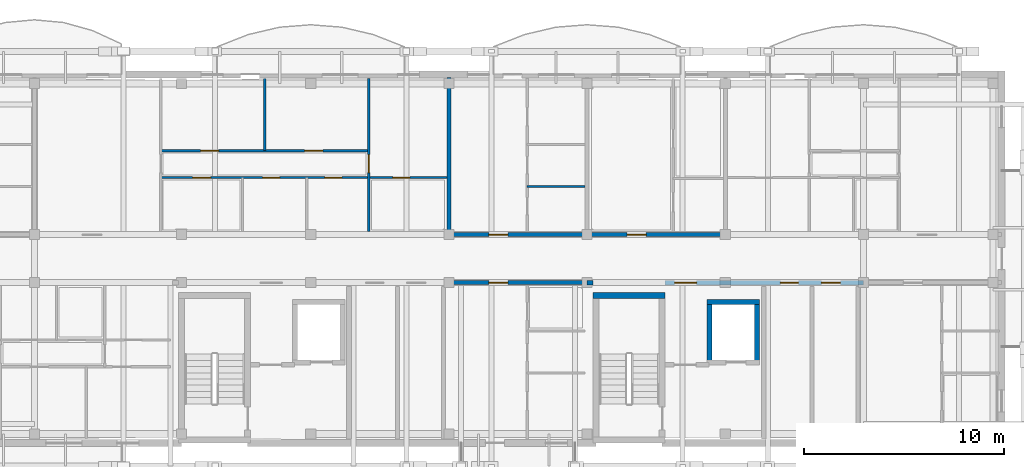
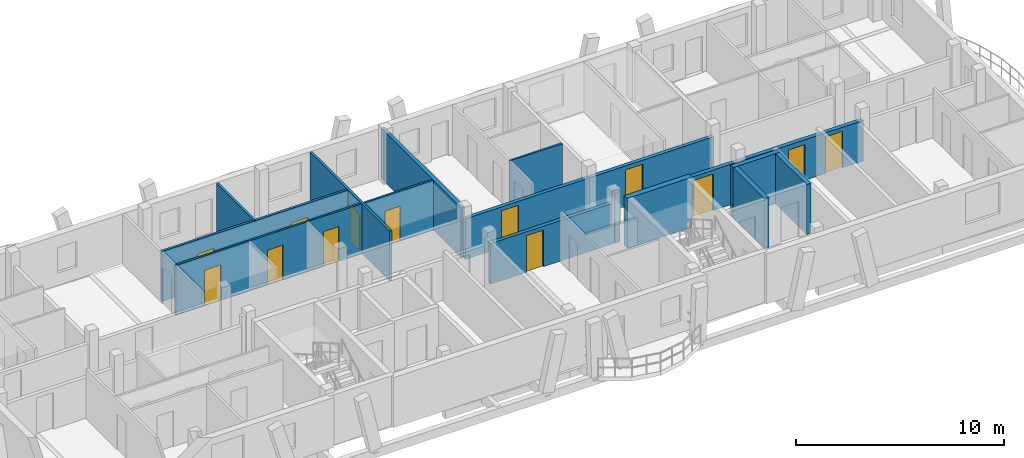
# One storey, part 35 of 50: 15 walls, 13 doors, 13 openings.
"""IFC4 building model written with IfcOpenShell, lengths in metres."""

from ifc_helpers import new_model, si_unit, direction, frame, frame_2d, origin, origin_with_axes, place, context, subcontext, project, spatial, rectangle, extrude, material, layer, layer_set, type_object, element, fill, save


model = new_model("IFC4")

# Units and contexts
model_context = context("Model", 3, precision=1e-05, world=origin(), true_north=direction((0.0, 1.0)))
body_context = subcontext(model_context, "Body", "Model", "MODEL_VIEW")
ifc_project = project(units=[si_unit("LENGTHUNIT", "METRE"), si_unit("AREAUNIT", "SQUARE_METRE"), si_unit("VOLUMEUNIT", "CUBIC_METRE"), si_unit("PLANEANGLEUNIT", "RADIAN"), si_unit("MASSUNIT", "GRAM", prefix="KILO")], contexts=[model_context])

# Site, building, storey
site_placement = place(None, origin())
site = spatial("IfcSite", under=ifc_project, at=site_placement, CompositionType="ELEMENT")
building_placement = place(site_placement, origin())
building = spatial("IfcBuilding", under=site, at=building_placement, Name="Zavelmont Quarter", CompositionType="ELEMENT")
storey_placement = place(building_placement, frame((0.0, 0.0, 11.199951171875)))
storey = spatial("IfcBuildingStorey", under=building, at=storey_placement, Name="L03", CompositionType="ELEMENT", Elevation=11.199951171875)

# Wall
ifc_material_1 = material(Name="Calcium-silicate blockwork and acoustic plaster", Category="masonry")
ifc_layer_1 = layer(ifc_material_1, 0.199951171875)
ifc_layer_set_1 = layer_set([ifc_layer_1], Name="Calcium-silicate blockwork and acoustic plaster")
wall_type_1 = type_object("IfcWallType", Name="IW01", PredefinedType="PARTITIONING", material=ifc_layer_set_1)
wall_1_placement = place(storey_placement, frame((140.39990234375, 108.14990234375, 0.0), z_axis=(0.0, 0.0, 1.0), x_axis=(0.0, 1.0, 0.0)))
element("IfcWall", 1, at=wall_1_placement, inside=storey, type_object=wall_type_1, Name="L03 Inter-dwelling compartment wall IW01", PredefinedType="PARTITIONING", context=body_context, shape_type="SweptSolid", body=[
    extrude(rectangle(XDim=7.7001953125, YDim=0.199951171875, at=frame_2d((3.85009765625, 0.0))), origin(), (0.0, 0.0, 1.0), 2.93994140625),
])

# Wall, opening, door
wall_2_placement = place(storey_placement, frame((140.39990234375, 108.0, 0.0), z_axis=(0.0, 0.0, 1.0), x_axis=(1.0, 0.0, 0.0)))
wall_2 = element("IfcWall", 2, at=wall_2_placement, inside=storey, type_object=wall_type_1, Name="L03 Corridor compartment wall IW01", PredefinedType="PARTITIONING", context=body_context, shape_type="SweptSolid", body=[
    extrude(rectangle(XDim=6.900146484375, YDim=0.199951171875, at=frame_2d((3.4501953125, 0.0))), origin(), (0.0, 0.0, 1.0), 2.380126953125),
])
opening_1_placement = place(wall_2_placement, frame((2.0, 0.0, 0.0)))
opening_1 = element("IfcOpeningElement", 3, at=opening_1_placement, cuts=wall_2, Name="Opening DR02", PredefinedType="OPENING", context=body_context, shape_type="SweptSolid", body=[
    extrude(rectangle(XDim=0.949951171875, YDim=2.14990234375, at=frame_2d((0.47509765625, 1.074951171875))), frame((0.0, 0.11181640625, 0.0), z_axis=(0.0, -1.0, 0.0), x_axis=(1.0, 0.0, 0.0)), (0.0, 0.0, 1.0), 0.223876953125),
])
ifc_material_2 = material(Name="Solid-core oak fire leaf in steel frame", Category="steel")
door_type_1 = type_object("IfcDoorType", Name="DR02", OperationType="NOTDEFINED", PredefinedType="DOOR", material=ifc_material_2)
door_1_placement = place(opening_1_placement, origin_with_axes())
door_1 = element("IfcDoor", 4, at=door_1_placement, inside=storey, type_object=door_type_1, Name="L03 door DR02", OperationType="SINGLE_SWING_RIGHT", OverallHeight=2.14990234375, OverallWidth=0.949951171875, PredefinedType="DOOR", context=body_context, shape_type="SweptSolid", body=[
    extrude(rectangle(XDim=0.949951171875, YDim=2.14990234375, at=frame_2d((0.47509765625, 1.074951171875))), frame((0.0, 0.02490234375, 0.0), z_axis=(0.0, -1.0, 0.0), x_axis=(1.0, 0.0, 0.0)), (0.0, 0.0, 1.0), 0.050048828125),
])
fill(opening_1, door_1)

wall_3_placement = place(storey_placement, frame((147.300048828125, 108.0, 0.0), z_axis=(0.0, 0.0, 1.0), x_axis=(1.0, 0.0, 0.0)))
wall_3 = element("IfcWall", 5, at=wall_3_placement, inside=storey, type_object=wall_type_1, Name="L03 Corridor compartment wall IW01", PredefinedType="PARTITIONING", context=body_context, shape_type="SweptSolid", body=[
    extrude(rectangle(XDim=6.89990234375, YDim=0.199951171875, at=frame_2d((3.449951171875, 0.0))), origin(), (0.0, 0.0, 1.0), 2.380126953125),
])
opening_2_placement = place(wall_3_placement, frame((2.0, 0.0, 0.0)))
opening_2 = element("IfcOpeningElement", 6, at=opening_2_placement, cuts=wall_3, Name="Opening DR02", PredefinedType="OPENING", context=body_context, shape_type="SweptSolid", body=[
    extrude(rectangle(XDim=0.949951171875, YDim=2.14990234375, at=frame_2d((0.47509765625, 1.074951171875))), frame((0.0, 0.11181640625, 0.0), z_axis=(0.0, -1.0, 0.0), x_axis=(1.0, 0.0, 0.0)), (0.0, 0.0, 1.0), 0.223876953125),
])
door_2_placement = place(opening_2_placement, origin_with_axes())
door_2 = element("IfcDoor", 7, at=door_2_placement, inside=storey, type_object=door_type_1, Name="L03 door DR02", OperationType="SINGLE_SWING_LEFT", OverallHeight=2.14990234375, OverallWidth=0.949951171875, PredefinedType="DOOR", context=body_context, shape_type="SweptSolid", body=[
    extrude(rectangle(XDim=0.949951171875, YDim=2.14990234375, at=frame_2d((0.47509765625, 1.074951171875))), frame((0.0, 0.02490234375, 0.0), z_axis=(0.0, -1.0, 0.0), x_axis=(1.0, 0.0, 0.0)), (0.0, 0.0, 1.0), 0.050048828125),
])
fill(opening_2, door_2)

wall_4_placement = place(storey_placement, frame((140.39990234375, 105.60009765625, 0.0), z_axis=(0.0, 0.0, 1.0), x_axis=(1.0, 0.0, 0.0)))
wall_4 = element("IfcWall", 8, at=wall_4_placement, inside=storey, type_object=wall_type_1, Name="L03 Corridor compartment wall IW01", PredefinedType="PARTITIONING", context=body_context, shape_type="SweptSolid", body=[
    extrude(rectangle(XDim=6.900146484375, YDim=0.199951171875, at=frame_2d((3.4501953125, 0.0))), origin(), (0.0, 0.0, 1.0), 2.380126953125),
])
opening_3_placement = place(wall_4_placement, frame((2.0, 0.0, 0.0)))
opening_3 = element("IfcOpeningElement", 9, at=opening_3_placement, cuts=wall_4, Name="Opening DR02", PredefinedType="OPENING", context=body_context, shape_type="SweptSolid", body=[
    extrude(rectangle(XDim=0.949951171875, YDim=2.14990234375, at=frame_2d((0.47509765625, 1.074951171875))), frame((0.0, 0.11181640625, 0.0), z_axis=(0.0, -1.0, 0.0), x_axis=(1.0, 0.0, 0.0)), (0.0, 0.0, 1.0), 0.223876953125),
])
door_3_placement = place(opening_3_placement, frame((0.949951171875, 0.0, 0.0), z_axis=(0.0, 0.0, 1.0), x_axis=(-1.0, 0.0, 0.0)))
door_3 = element("IfcDoor", 10, at=door_3_placement, inside=storey, type_object=door_type_1, Name="L03 door DR02", OperationType="SINGLE_SWING_RIGHT", OverallHeight=2.14990234375, OverallWidth=0.949951171875, PredefinedType="DOOR", context=body_context, shape_type="SweptSolid", body=[
    extrude(rectangle(XDim=0.949951171875, YDim=2.14990234375, at=frame_2d((0.47509765625, 1.074951171875))), frame((0.0, 0.02490234375, 0.0), z_axis=(0.0, -1.0, 0.0), x_axis=(1.0, 0.0, 0.0)), (0.0, 0.0, 1.0), 0.050048828125),
])
fill(opening_3, door_3)

# Wall
ifc_material_3 = material(Name="Reinforced masonry fire compartment wall", Category="masonry")
ifc_layer_2 = layer(ifc_material_3, 0.22509765625)
ifc_layer_set_2 = layer_set([ifc_layer_2], Name="Reinforced masonry fire compartment wall")
wall_type_2 = type_object("IfcWallType", Name="IW02", PredefinedType="PARTITIONING", material=ifc_layer_set_2)
wall_5_placement = place(storey_placement, frame((147.300048828125, 105.60009765625, 0.0), z_axis=(0.0, 0.0, 1.0), x_axis=(1.0, 0.0, 0.0)))
element("IfcWall", 11, at=wall_5_placement, inside=storey, type_object=wall_type_2, Name="L03 Core corridor wall IW02", PredefinedType="PARTITIONING", context=body_context, shape_type="SweptSolid", body=[
    extrude(rectangle(XDim=0.300048828125, YDim=0.22509765625, at=frame_2d((0.14990234375, 0.0))), origin(), (0.0, 0.0, 1.0), 2.93994140625),
])

# Wall, openings, doors
wall_6_placement = place(storey_placement, frame((151.199951171875, 105.60009765625, 0.0), z_axis=(0.0, 0.0, 1.0), x_axis=(1.0, 0.0, 0.0)))
wall_6 = element("IfcWall", 12, at=wall_6_placement, inside=storey, type_object=wall_type_2, Name="L03 Core corridor fire wall IW02", PredefinedType="PARTITIONING", context=body_context, shape_type="SweptSolid", body=[
    extrude(rectangle(XDim=9.900146484375, YDim=0.22509765625, at=frame_2d((4.9501953125, 0.0))), origin(), (0.0, 0.0, 1.0), 2.380126953125),
])
opening_4_placement = place(wall_6_placement, frame((0.47509765625, 0.0, 0.0)))
opening_4 = element("IfcOpeningElement", 13, at=opening_4_placement, cuts=wall_6, Name="Opening DR10", PredefinedType="OPENING", context=body_context, shape_type="SweptSolid", body=[
    extrude(rectangle(XDim=1.10009765625, YDim=2.14990234375, at=frame_2d((0.550048828125, 1.074951171875))), frame((0.0, 0.12451171875, 0.0), z_axis=(0.0, -1.0, 0.0), x_axis=(1.0, 0.0, 0.0)), (0.0, 0.0, 1.0), 0.2490234375),
])
opening_5_placement = place(wall_6_placement, frame((5.75, 0.0, 0.0)))
opening_5 = element("IfcOpeningElement", 14, at=opening_5_placement, cuts=wall_6, Name="Opening DR11", PredefinedType="OPENING", context=body_context, shape_type="SweptSolid", body=[
    extrude(rectangle(XDim=0.89990234375, YDim=2.10009765625, at=frame_2d((0.449951171875, 1.050048828125))), frame((0.0, 0.12451171875, 0.0), z_axis=(0.0, -1.0, 0.0), x_axis=(1.0, 0.0, 0.0)), (0.0, 0.0, 1.0), 0.2490234375),
])
opening_6_placement = place(wall_6_placement, frame((7.800048828125, 0.0, 0.0)))
opening_6 = element("IfcOpeningElement", 15, at=opening_6_placement, cuts=wall_6, Name="Opening DR02", PredefinedType="OPENING", context=body_context, shape_type="SweptSolid", body=[
    extrude(rectangle(XDim=0.949951171875, YDim=2.14990234375, at=frame_2d((0.47509765625, 1.074951171875))), frame((0.0, 0.12451171875, 0.0), z_axis=(0.0, -1.0, 0.0), x_axis=(1.0, 0.0, 0.0)), (0.0, 0.0, 1.0), 0.2490234375),
])
door_4_placement = place(opening_6_placement, origin_with_axes())
door_4 = element("IfcDoor", 16, at=door_4_placement, inside=storey, type_object=door_type_1, Name="Auxiliary store corridor door", OperationType="SINGLE_SWING_RIGHT", OverallHeight=2.14990234375, OverallWidth=0.949951171875, PredefinedType="DOOR", context=body_context, shape_type="SweptSolid", body=[
    extrude(rectangle(XDim=0.949951171875, YDim=2.14990234375, at=frame_2d((0.47509765625, 1.074951171875))), frame((0.0, 0.02490234375, 0.0), z_axis=(0.0, -1.0, 0.0), x_axis=(1.0, 0.0, 0.0)), (0.0, 0.0, 1.0), 0.050048828125),
])
fill(opening_6, door_4)
ifc_material_4 = material(Name="Painted steel lobby fire door", Category="steel")
door_type_2 = type_object("IfcDoorType", Name="DR10", OperationType="NOTDEFINED", PredefinedType="DOOR", material=ifc_material_4)
door_5_placement = place(opening_4_placement, frame((1.10009765625, 0.0, 0.0), z_axis=(0.0, 0.0, 1.0), x_axis=(-1.0, 0.0, 0.0)))
door_5 = element("IfcDoor", 17, at=door_5_placement, inside=storey, type_object=door_type_2, Name="Core vestibule fire door", OperationType="SINGLE_SWING_LEFT", OverallHeight=2.14990234375, OverallWidth=1.10009765625, PredefinedType="DOOR", context=body_context, shape_type="SweptSolid", body=[
    extrude(rectangle(XDim=1.10009765625, YDim=2.14990234375, at=frame_2d((0.550048828125, 1.074951171875))), frame((0.0, 0.02490234375, 0.0), z_axis=(0.0, -1.0, 0.0), x_axis=(1.0, 0.0, 0.0)), (0.0, 0.0, 1.0), 0.050048828125),
])
fill(opening_4, door_5)
ifc_material_5 = material(Name="Painted steel service-riser fire door", Category="steel")
door_type_3 = type_object("IfcDoorType", Name="DR11", OperationType="NOTDEFINED", PredefinedType="DOOR", material=ifc_material_5)
door_6_placement = place(opening_5_placement, origin_with_axes())
door_6 = element("IfcDoor", 18, at=door_6_placement, inside=storey, type_object=door_type_3, Name="Service riser fire door", OperationType="SINGLE_SWING_LEFT", OverallHeight=2.10009765625, OverallWidth=0.89990234375, PredefinedType="DOOR", context=body_context, shape_type="SweptSolid", body=[
    extrude(rectangle(XDim=0.89990234375, YDim=2.10009765625, at=frame_2d((0.449951171875, 1.050048828125))), frame((0.0, 0.02490234375, 0.0), z_axis=(0.0, -1.0, 0.0), x_axis=(1.0, 0.0, 0.0)), (0.0, 0.0, 1.0), 0.050048828125),
])
fill(opening_5, door_6)

# Wall
ifc_material_6 = material(Name="Double gypsum board on acoustic steel stud", Category="steel")
ifc_layer_3 = layer(ifc_material_6, 0.125)
ifc_layer_set_3 = layer_set([ifc_layer_3], Name="Double gypsum board on acoustic steel stud")
wall_type_3 = type_object("IfcWallType", Name="IW03", PredefinedType="PARTITIONING", material=ifc_layer_set_3)
wall_7_placement = place(storey_placement, frame((131.199951171875, 112.199951171875, 0.0), z_axis=(0.0, 0.0, 1.0), x_axis=(0.0, 1.0, 0.0)))
element("IfcWall", 19, at=wall_7_placement, inside=storey, type_object=wall_type_3, Name="L03 Partition IW03", PredefinedType="PARTITIONING", context=body_context, shape_type="SweptSolid", body=[
    extrude(rectangle(XDim=3.60009765625, YDim=0.125, at=frame_2d((1.800048828125, 0.0))), origin(), (0.0, 0.0, 1.0), 2.93994140625),
])

# Wall, opening, door
wall_8_placement = place(storey_placement, frame((136.39990234375, 108.14990234375, 0.0), z_axis=(0.0, 0.0, 1.0), x_axis=(0.0, 1.0, 0.0)))
wall_8 = element("IfcWall", 20, at=wall_8_placement, inside=storey, type_object=wall_type_3, Name="L03 Partition IW03", PredefinedType="PARTITIONING", context=body_context, shape_type="SweptSolid", body=[
    extrude(rectangle(XDim=7.650146484375, YDim=0.125, at=frame_2d((3.8251953125, 0.0))), origin(), (0.0, 0.0, 1.0), 2.93994140625),
])
opening_7_placement = place(wall_8_placement, frame((2.949951171875, 0.0, 0.0)))
opening_7 = element("IfcOpeningElement", 21, at=opening_7_placement, cuts=wall_8, Name="Opening DR05", PredefinedType="OPENING", context=body_context, shape_type="SweptSolid", body=[
    extrude(rectangle(XDim=0.89990234375, YDim=2.10009765625, at=frame_2d((0.449951171875, 1.050048828125))), frame((0.0, 0.074462890625, 0.0), z_axis=(0.0, -1.0, 0.0), x_axis=(1.0, 0.0, 0.0)), (0.0, 0.0, 1.0), 0.14892578125),
])
ifc_material_7 = material(Name="Engineered oak flush interior door")
door_type_4 = type_object("IfcDoorType", Name="DR05", OperationType="NOTDEFINED", PredefinedType="DOOR", material=ifc_material_7)
door_7_placement = place(opening_7_placement, frame((0.89990234375, 0.0, 0.0), z_axis=(0.0, 0.0, 1.0), x_axis=(-1.0, 0.0, 0.0)))
door_7 = element("IfcDoor", 22, at=door_7_placement, inside=storey, type_object=door_type_4, Name="L03 door DR05", OperationType="SINGLE_SWING_LEFT", OverallHeight=2.10009765625, OverallWidth=0.89990234375, PredefinedType="DOOR", context=body_context, shape_type="SweptSolid", body=[
    extrude(rectangle(XDim=0.89990234375, YDim=2.10009765625, at=frame_2d((0.449951171875, 1.050048828125))), frame((0.0, 0.02490234375, 0.0), z_axis=(0.0, -1.0, 0.0), x_axis=(1.0, 0.0, 0.0)), (0.0, 0.0, 1.0), 0.050048828125),
])
fill(opening_7, door_7)

# Wall, openings, doors
wall_9_placement = place(storey_placement, frame((126.0, 112.199951171875, 0.0), z_axis=(0.0, 0.0, 1.0), x_axis=(1.0, 0.0, 0.0)))
wall_9 = element("IfcWall", 23, at=wall_9_placement, inside=storey, type_object=wall_type_3, Name="L03 Partition IW03", PredefinedType="PARTITIONING", context=body_context, shape_type="SweptSolid", body=[
    extrude(rectangle(XDim=10.39990234375, YDim=0.125, at=frame_2d((5.199951171875, 0.0))), origin(), (0.0, 0.0, 1.0), 2.93994140625),
])
opening_8_placement = place(wall_9_placement, frame((2.0, 0.0, 0.0)))
opening_8 = element("IfcOpeningElement", 24, at=opening_8_placement, cuts=wall_9, Name="Opening DR05", PredefinedType="OPENING", context=body_context, shape_type="SweptSolid", body=[
    extrude(rectangle(XDim=0.89990234375, YDim=2.10009765625, at=frame_2d((0.449951171875, 1.050048828125))), frame((0.0, 0.074462890625, 0.0), z_axis=(0.0, -1.0, 0.0), x_axis=(1.0, 0.0, 0.0)), (0.0, 0.0, 1.0), 0.14892578125),
])
opening_9_placement = place(wall_9_placement, frame((7.199951171875, 0.0, 0.0)))
opening_9 = element("IfcOpeningElement", 25, at=opening_9_placement, cuts=wall_9, Name="Opening DR05", PredefinedType="OPENING", context=body_context, shape_type="SweptSolid", body=[
    extrude(rectangle(XDim=0.89990234375, YDim=2.10009765625, at=frame_2d((0.449951171875, 1.050048828125))), frame((0.0, 0.074462890625, 0.0), z_axis=(0.0, -1.0, 0.0), x_axis=(1.0, 0.0, 0.0)), (0.0, 0.0, 1.0), 0.14892578125),
])
door_8_placement = place(opening_8_placement, origin_with_axes())
door_8 = element("IfcDoor", 26, at=door_8_placement, inside=storey, type_object=door_type_4, Name="L03 door DR05", OperationType="SINGLE_SWING_RIGHT", OverallHeight=2.10009765625, OverallWidth=0.89990234375, PredefinedType="DOOR", context=body_context, shape_type="SweptSolid", body=[
    extrude(rectangle(XDim=0.89990234375, YDim=2.10009765625, at=frame_2d((0.449951171875, 1.050048828125))), frame((0.0, 0.02490234375, 0.0), z_axis=(0.0, -1.0, 0.0), x_axis=(1.0, 0.0, 0.0)), (0.0, 0.0, 1.0), 0.050048828125),
])
fill(opening_8, door_8)
door_9_placement = place(opening_9_placement, frame((0.89990234375, 0.0, 0.0), z_axis=(0.0, 0.0, 1.0), x_axis=(-1.0, 0.0, 0.0)))
door_9 = element("IfcDoor", 27, at=door_9_placement, inside=storey, type_object=door_type_4, Name="L03 door DR05", OperationType="SINGLE_SWING_LEFT", OverallHeight=2.10009765625, OverallWidth=0.89990234375, PredefinedType="DOOR", context=body_context, shape_type="SweptSolid", body=[
    extrude(rectangle(XDim=0.89990234375, YDim=2.10009765625, at=frame_2d((0.449951171875, 1.050048828125))), frame((0.0, 0.02490234375, 0.0), z_axis=(0.0, -1.0, 0.0), x_axis=(1.0, 0.0, 0.0)), (0.0, 0.0, 1.0), 0.050048828125),
])
fill(opening_9, door_9)

ifc_material_8 = material(Name="Moisture-resistant gypsum board on steel stud", Category="steel")
ifc_layer_4 = layer(ifc_material_8, 0.10009765625)
ifc_layer_set_4 = layer_set([ifc_layer_4], Name="Moisture-resistant gypsum board on steel stud")
wall_type_4 = type_object("IfcWallType", Name="IW04", PredefinedType="PARTITIONING", material=ifc_layer_set_4)
wall_10_placement = place(storey_placement, frame((126.0, 110.85009765625, 0.0), z_axis=(0.0, 0.0, 1.0), x_axis=(1.0, 0.0, 0.0)))
wall_10 = element("IfcWall", 28, at=wall_10_placement, inside=storey, type_object=wall_type_4, Name="L03 Partition IW04", PredefinedType="PARTITIONING", context=body_context, shape_type="SweptSolid", body=[
    extrude(rectangle(XDim=14.300048828125, YDim=0.10009765625, at=frame_2d((7.14990234375, 0.0))), origin(), (0.0, 0.0, 1.0), 2.93994140625),
])
opening_10_placement = place(wall_10_placement, frame((1.60009765625, 0.0, 0.0)))
opening_10 = element("IfcOpeningElement", 29, at=opening_10_placement, cuts=wall_10, Name="Opening DR05", PredefinedType="OPENING", context=body_context, shape_type="SweptSolid", body=[
    extrude(rectangle(XDim=0.89990234375, YDim=2.10009765625, at=frame_2d((0.449951171875, 1.050048828125))), frame((0.0, 0.06201171875, 0.0), z_axis=(0.0, -1.0, 0.0), x_axis=(1.0, 0.0, 0.0)), (0.0, 0.0, 1.0), 0.1240234375),
])
opening_11_placement = place(wall_10_placement, frame((5.10009765625, 0.0, 0.0)))
opening_11 = element("IfcOpeningElement", 30, at=opening_11_placement, cuts=wall_10, Name="Opening DR06", PredefinedType="OPENING", context=body_context, shape_type="SweptSolid", body=[
    extrude(rectangle(XDim=0.85009765625, YDim=2.050048828125, at=frame_2d((0.425048828125, 1.02490234375))), frame((0.0, 0.06201171875, 0.0), z_axis=(0.0, -1.0, 0.0), x_axis=(1.0, 0.0, 0.0)), (0.0, 0.0, 1.0), 0.1240234375),
])
opening_12_placement = place(wall_10_placement, frame((8.199951171875, 0.0, 0.0)))
opening_12 = element("IfcOpeningElement", 31, at=opening_12_placement, cuts=wall_10, Name="Opening DR06", PredefinedType="OPENING", context=body_context, shape_type="SweptSolid", body=[
    extrude(rectangle(XDim=0.85009765625, YDim=2.050048828125, at=frame_2d((0.425048828125, 1.02490234375))), frame((0.0, 0.06201171875, 0.0), z_axis=(0.0, -1.0, 0.0), x_axis=(1.0, 0.0, 0.0)), (0.0, 0.0, 1.0), 0.1240234375),
])
opening_13_placement = place(wall_10_placement, frame((11.60009765625, 0.0, 0.0)))
opening_13 = element("IfcOpeningElement", 32, at=opening_13_placement, cuts=wall_10, Name="Opening DR06", PredefinedType="OPENING", context=body_context, shape_type="SweptSolid", body=[
    extrude(rectangle(XDim=0.85009765625, YDim=2.050048828125, at=frame_2d((0.425048828125, 1.02490234375))), frame((0.0, 0.06201171875, 0.0), z_axis=(0.0, -1.0, 0.0), x_axis=(1.0, 0.0, 0.0)), (0.0, 0.0, 1.0), 0.1240234375),
])
door_10_placement = place(opening_10_placement, origin_with_axes())
door_10 = element("IfcDoor", 33, at=door_10_placement, inside=storey, type_object=door_type_4, Name="L03 door DR05", OperationType="SINGLE_SWING_RIGHT", OverallHeight=2.10009765625, OverallWidth=0.89990234375, PredefinedType="DOOR", context=body_context, shape_type="SweptSolid", body=[
    extrude(rectangle(XDim=0.89990234375, YDim=2.10009765625, at=frame_2d((0.449951171875, 1.050048828125))), frame((0.0, 0.02490234375, 0.0), z_axis=(0.0, -1.0, 0.0), x_axis=(1.0, 0.0, 0.0)), (0.0, 0.0, 1.0), 0.050048828125),
])
fill(opening_10, door_10)
ifc_material_9 = material(Name="Moisture-resistant painted wet-room door")
door_type_5 = type_object("IfcDoorType", Name="DR06", OperationType="NOTDEFINED", PredefinedType="DOOR", material=ifc_material_9)
door_11_placement = place(opening_11_placement, frame((0.85009765625, 0.0, 0.0), z_axis=(0.0, 0.0, 1.0), x_axis=(-1.0, 0.0, 0.0)))
door_11 = element("IfcDoor", 34, at=door_11_placement, inside=storey, type_object=door_type_5, Name="L03 door DR06", OperationType="SINGLE_SWING_LEFT", OverallHeight=2.050048828125, OverallWidth=0.85009765625, PredefinedType="DOOR", context=body_context, shape_type="SweptSolid", body=[
    extrude(rectangle(XDim=0.85009765625, YDim=2.050048828125, at=frame_2d((0.425048828125, 1.02490234375))), frame((0.0, 0.02490234375, 0.0), z_axis=(0.0, -1.0, 0.0), x_axis=(1.0, 0.0, 0.0)), (0.0, 0.0, 1.0), 0.050048828125),
])
fill(opening_11, door_11)
door_12_placement = place(opening_12_placement, origin_with_axes())
door_12 = element("IfcDoor", 35, at=door_12_placement, inside=storey, type_object=door_type_5, Name="L03 door DR06", OperationType="SINGLE_SWING_RIGHT", OverallHeight=2.050048828125, OverallWidth=0.85009765625, PredefinedType="DOOR", context=body_context, shape_type="SweptSolid", body=[
    extrude(rectangle(XDim=0.85009765625, YDim=2.050048828125, at=frame_2d((0.425048828125, 1.02490234375))), frame((0.0, 0.02490234375, 0.0), z_axis=(0.0, -1.0, 0.0), x_axis=(1.0, 0.0, 0.0)), (0.0, 0.0, 1.0), 0.050048828125),
])
fill(opening_12, door_12)
door_13_placement = place(opening_13_placement, frame((0.85009765625, 0.0, 0.0), z_axis=(0.0, 0.0, 1.0), x_axis=(-1.0, 0.0, 0.0)))
door_13 = element("IfcDoor", 36, at=door_13_placement, inside=storey, type_object=door_type_5, Name="L03 door DR06", OperationType="SINGLE_SWING_LEFT", OverallHeight=2.050048828125, OverallWidth=0.85009765625, PredefinedType="DOOR", context=body_context, shape_type="SweptSolid", body=[
    extrude(rectangle(XDim=0.85009765625, YDim=2.050048828125, at=frame_2d((0.425048828125, 1.02490234375))), frame((0.0, 0.02490234375, 0.0), z_axis=(0.0, -1.0, 0.0), x_axis=(1.0, 0.0, 0.0)), (0.0, 0.0, 1.0), 0.050048828125),
])
fill(opening_13, door_13)

# Walls
wall_11_placement = place(storey_placement, frame((144.300048828125, 110.39990234375, 0.0), z_axis=(0.0, 0.0, 1.0), x_axis=(1.0, 0.0, 0.0)))
element("IfcWall", 37, at=wall_11_placement, inside=storey, type_object=wall_type_4, Name="L03 Partition IW04", PredefinedType="PARTITIONING", context=body_context, shape_type="SweptSolid", body=[
    extrude(rectangle(XDim=2.89990234375, YDim=0.10009765625, at=frame_2d((1.449951171875, 0.0))), origin(), (0.0, 0.0, 1.0), 2.93994140625),
])
ifc_material_10 = material(Name="Concrete C40/50", Category="concrete")
ifc_layer_5 = layer(ifc_material_10, 0.300048828125)
ifc_layer_set_5 = layer_set([ifc_layer_5], Name="Concrete C40/50")
wall_type_5 = type_object("IfcWallType", Name="SW01", PredefinedType="SHEAR", material=ifc_layer_set_5)
wall_12_placement = place(storey_placement, frame((147.60009765625, 104.949951171875, 0.0), z_axis=(0.0, 0.0, 1.0), x_axis=(1.0, 0.0, 0.0)))
element("IfcWall", 38, at=wall_12_placement, inside=storey, type_object=wall_type_5, Name="L03 ST06 corridor shear wall SW01", PredefinedType="SHEAR", context=body_context, shape_type="SweptSolid", body=[
    extrude(rectangle(XDim=3.599853515625, YDim=0.300048828125, at=frame_2d((1.7998046875, 0.0))), origin(), (0.0, 0.0, 1.0), 2.93994140625),
])
ifc_layer_6 = layer(ifc_material_10, 0.25)
ifc_layer_set_6 = layer_set([ifc_layer_6], Name="Concrete C40/50")
wall_type_6 = type_object("IfcWallType", Name="SW02", PredefinedType="SHEAR", material=ifc_layer_set_6)
wall_13_placement = place(storey_placement, frame((153.300048828125, 104.625, 0.0), z_axis=(0.0, 0.0, 1.0), x_axis=(1.0, 0.0, 0.0)))
element("IfcWall", 39, at=wall_13_placement, inside=storey, type_object=wall_type_6, Name="L03 Lift LF06 back shaft wall SW02", PredefinedType="SHEAR", context=body_context, shape_type="SweptSolid", body=[
    extrude(rectangle(XDim=2.599853515625, YDim=0.25, at=frame_2d((1.2998046875, 0.0))), origin(), (0.0, 0.0, 1.0), 2.93994140625),
])
for number, where, z_axis, x_axis, name in (
    (40, (153.425048828125, 101.5, 0.0), (0.0, 0.0, 1.0), (0.0, 1.0, 0.0), "L03 Lift LF06 west shaft wall SW02"),
    (41, (155.77490234375, 101.5, 0.0), (0.0, 0.0, 1.0), (0.0, 1.0, 0.0), "L03 Lift LF06 east shaft wall SW02"),
):
    element("IfcWall", number, at=place(storey_placement, frame(where, z_axis=z_axis, x_axis=x_axis)), inside=storey, type_object=wall_type_6, Name=name, PredefinedType="SHEAR", context=body_context, shape_type="SweptSolid", body=[
        extrude(rectangle(XDim=3.25, YDim=0.25, at=frame_2d((1.625, 0.0))), origin(), (0.0, 0.0, 1.0), 2.93994140625),
    ])

save(model, "model.ifc")
